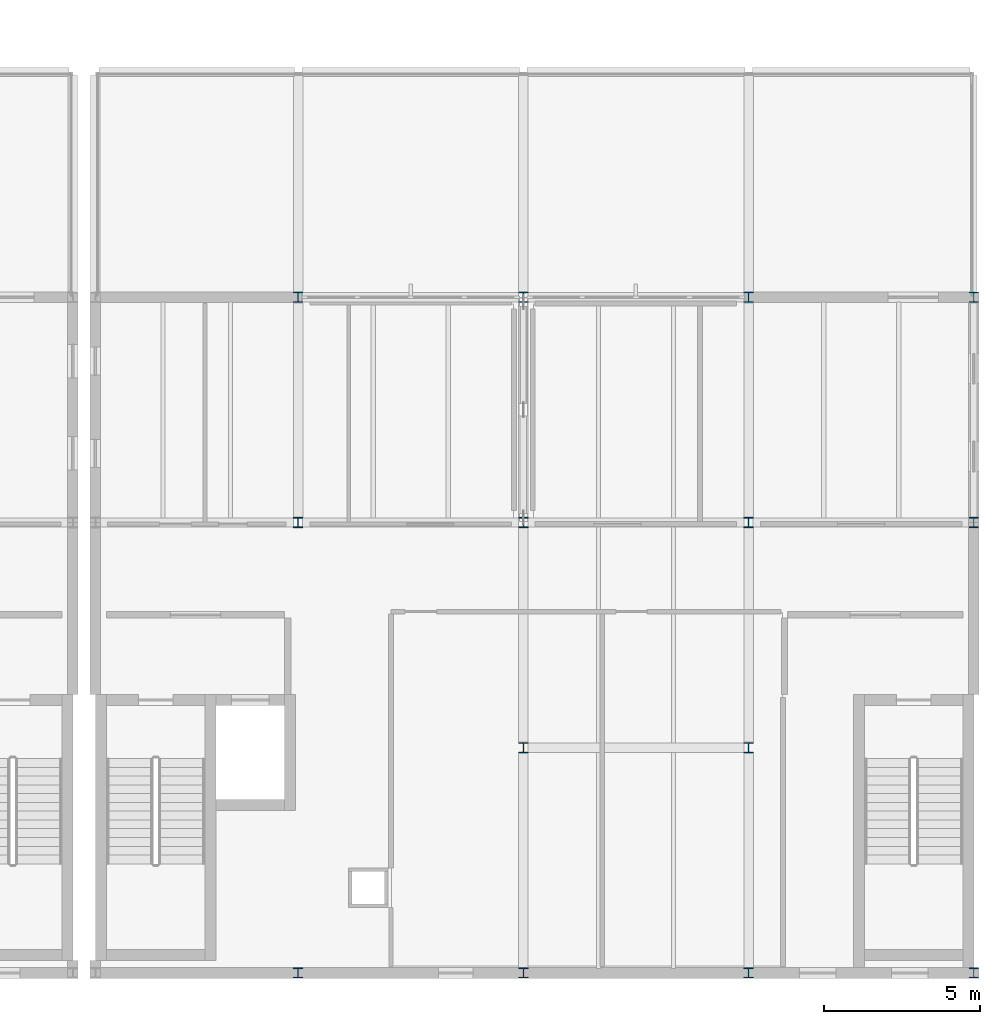
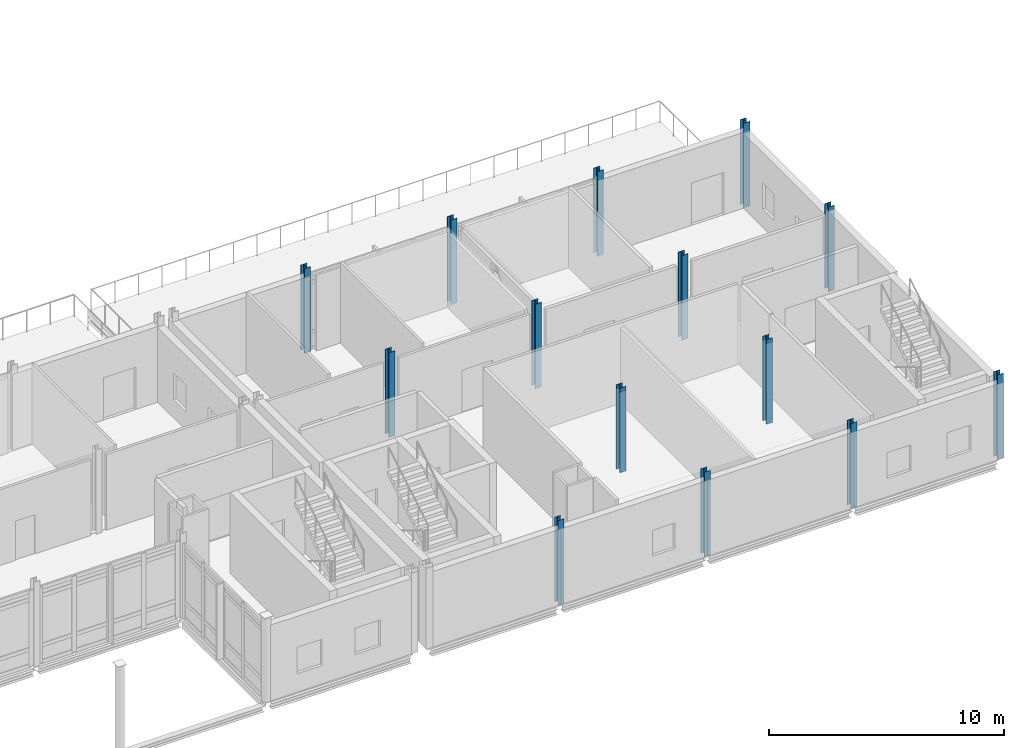
# One storey, part 4 of 53: 14 columns.
"""IFC4 building model written with IfcOpenShell, lengths in metres."""

from ifc_helpers import new_model, si_unit, direction, frame, origin, origin_2d, place, context, subcontext, project, spatial, i_section, extrude, material, material_profile, profile_set, type_object, element, save


model = new_model("IFC4")

# Units and contexts
model_context = context("Model", 3, precision=1e-05, world=origin(), true_north=direction((0.0, 1.0)))
body_context = subcontext(model_context, "Body", "Model", "MODEL_VIEW")
ifc_project = project(units=[si_unit("LENGTHUNIT", "METRE"), si_unit("AREAUNIT", "SQUARE_METRE"), si_unit("VOLUMEUNIT", "CUBIC_METRE"), si_unit("PLANEANGLEUNIT", "RADIAN"), si_unit("MASSUNIT", "GRAM", prefix="KILO")], contexts=[model_context])

# Site, building, storey
site_placement = place(None, origin())
site = spatial("IfcSite", under=ifc_project, at=site_placement, CompositionType="ELEMENT")
building_placement = place(site_placement, origin())
building = spatial("IfcBuilding", under=site, at=building_placement, Name="Zarrinpeak Specialist Clinic", CompositionType="ELEMENT")
storey_placement = place(building_placement, frame((0.0, 0.0, 14.0)))
storey = spatial("IfcBuildingStorey", under=building, at=storey_placement, Name="L03", CompositionType="ELEMENT", Elevation=14.0)

# Columns
ifc_material = material(Name="Steel S355", Category="steel")
ifc_material_profile = material_profile(ifc_material, i_section(OverallWidth=0.300048828125, OverallDepth=0.320068359375, WebThickness=0.011474609375, FlangeThickness=0.0205078125, FilletRadius=0.027099609375, at=origin_2d()), Name="HEB 320")
ifc_profile_set = profile_set([ifc_material_profile], Name="Steel S355")
column_type = type_object("IfcColumnType", Name="COL-HEB320", PredefinedType="COLUMN", material=ifc_profile_set)
for number, where, z_axis, x_axis, name in (
    (1, (64.800048828125, 0.0, 0.0), (0.0, 0.0, 1.0), (1.0, 0.0, 0.0), "L03 Structural Column COL-L03-100"),
    (2, (64.800048828125, 14.39990234375, 0.0), (0.0, 0.0, 1.0), (1.0, 0.0, 0.0), "L03 Structural Column COL-L03-101"),
    (3, (64.800048828125, 21.60009765625, 0.0), (0.0, 0.0, 1.0), (1.0, 0.0, 0.0), "L03 Structural Column COL-L03-102"),
    (4, (72.0, 0.0, 0.0), (0.0, 0.0, 1.0), (1.0, 0.0, 0.0), "L03 Structural Column COL-L03-107"),
    (5, (72.0, 7.199951171875, 0.0), (0.0, 0.0, 1.0), (1.0, 0.0, 0.0), "L03 Structural Column COL-L03-108"),
    (6, (72.0, 14.39990234375, 0.0), (0.0, 0.0, 1.0), (1.0, 0.0, 0.0), "L03 Structural Column COL-L03-109"),
    (7, (72.0, 21.60009765625, 0.0), (0.0, 0.0, 1.0), (1.0, 0.0, 0.0), "L03 Structural Column COL-L03-110"),
    (8, (79.199951171875, 0.0, 0.0), (0.0, 0.0, 1.0), (1.0, 0.0, 0.0), "L03 Structural Column COL-L03-111"),
    (9, (79.199951171875, 7.199951171875, 0.0), (0.0, 0.0, 1.0), (1.0, 0.0, 0.0), "L03 Structural Column COL-L03-112"),
    (10, (79.199951171875, 14.39990234375, 0.0), (0.0, 0.0, 1.0), (1.0, 0.0, 0.0), "L03 Structural Column COL-L03-113"),
    (11, (79.199951171875, 21.60009765625, 0.0), (0.0, 0.0, 1.0), (1.0, 0.0, 0.0), "L03 Structural Column COL-L03-114"),
    (12, (86.39990234375, 0.0, 0.0), (0.0, 0.0, 1.0), (1.0, 0.0, 0.0), "L03 Structural Column COL-L03-115"),
    (13, (86.39990234375, 14.39990234375, 0.0), (0.0, 0.0, 1.0), (1.0, 0.0, 0.0), "L03 Structural Column COL-L03-116"),
    (14, (86.39990234375, 21.60009765625, 0.0), (0.0, 0.0, 1.0), (1.0, 0.0, 0.0), "L03 Structural Column COL-L03-117"),
):
    element("IfcColumn", number, at=place(storey_placement, frame(where, z_axis=z_axis, x_axis=x_axis)), inside=storey, type_object=column_type, Name=name, PredefinedType="COLUMN", context=body_context, shape_type="SweptSolid", body=[
        extrude(i_section(OverallWidth=0.300048828125, OverallDepth=0.320068359375, WebThickness=0.011474609375, FlangeThickness=0.0205078125, FilletRadius=0.027099609375, at=origin_2d()), origin(), (0.0, 0.0, 1.0), 4.39990234375),
    ])

save(model, "model.ifc")
